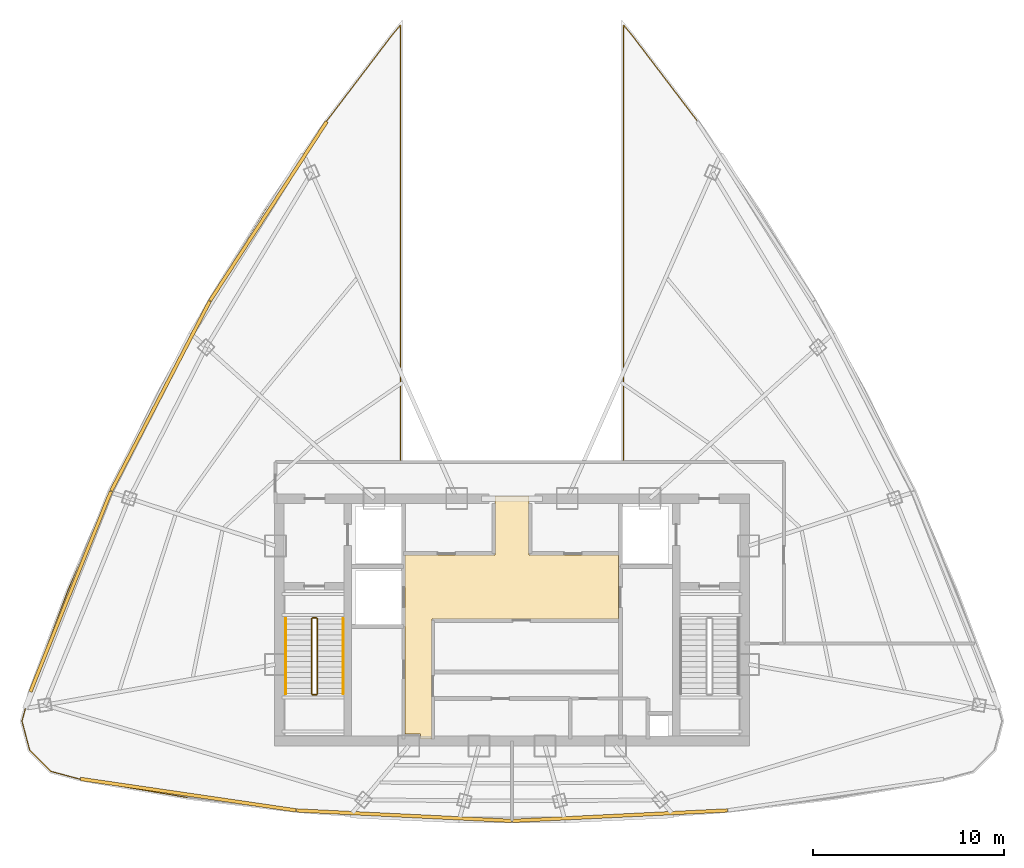
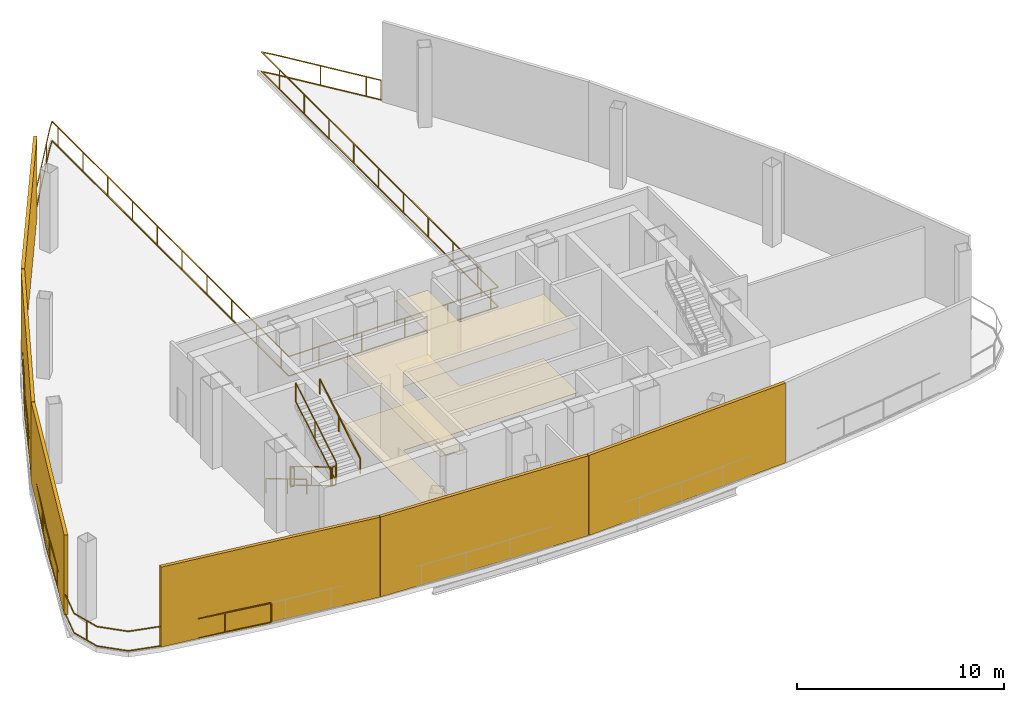
# One storey, part 4 of 6: 7 railings, 6 shading devices, 2 coverings.
"""IFC4 building model written with IfcOpenShell, lengths in metres."""

from ifc_helpers import new_model, si_unit, direction, frame, origin, origin_2d, place, context, subcontext, project, spatial, polyline, rectangle, outline, extrude, source, transform, mapped, material, layer, layer_set, type_object, element, save


model = new_model("IFC4")

# Units and contexts
model_context = context("Model", 3, precision=1e-05, world=origin(), true_north=direction((0.0, 1.0)))
body_context = subcontext(model_context, "Body", "Model", "MODEL_VIEW")
ifc_project = project(units=[si_unit("LENGTHUNIT", "METRE"), si_unit("AREAUNIT", "SQUARE_METRE"), si_unit("VOLUMEUNIT", "CUBIC_METRE"), si_unit("PLANEANGLEUNIT", "RADIAN"), si_unit("MASSUNIT", "GRAM", prefix="KILO"), si_unit("THERMODYNAMICTEMPERATUREUNIT", "KELVIN"), si_unit("POWERUNIT", "WATT")], contexts=[model_context])

# Site, building, storey
site_placement = place(None, origin())
site = spatial("IfcSite", under=ifc_project, at=site_placement, CompositionType="ELEMENT")
building_placement = place(site_placement, origin())
building = spatial("IfcBuilding", under=site, at=building_placement, Name="Yunzhuo Pagoda Commons", CompositionType="ELEMENT")
storey_placement = place(building_placement, frame((0.0, 0.0, 381.760009765625)))
storey = spatial("IfcBuildingStorey", under=building, at=storey_placement, Name="L95", CompositionType="ELEMENT", Elevation=381.760009765625)

# Coverings
ifc_material_1 = material(Name="Micro-perforated metal baffle ceiling")
ifc_layer_1 = layer(ifc_material_1, 0.034912109375)
ifc_layer_set_1 = layer_set([ifc_layer_1], Name="Micro-perforated metal baffle ceiling")
covering_type_1 = type_object("IfcCoveringType", Name="COV-CL3 Ceiling 35", PredefinedType="CEILING", material=ifc_layer_set_1)
covering_1_placement = place(storey_placement, frame((0.0, 0.0, 3.77001953125)))
element("IfcCovering", 1, at=covering_1_placement, inside=storey, type_object=covering_type_1, Name="L95 lift lobby acoustic ceiling", PredefinedType="CEILING", context=body_context, shape_type="SweptSolid", body=[
    extrude(outline(polyline([(43.207763671875, 27.85009765625), (43.201904296875, 27.864013671875), (43.187744140625, 27.8701171875), (42.39990234375, 27.8701171875), (42.39990234375, 33.89990234375), (42.39990234375, 37.25), (47.10009765625, 37.25), (47.10009765625, 40.35009765625), (48.89990234375, 40.35009765625), (48.89990234375, 37.25), (53.580078125, 37.25), (53.580078125, 33.89990234375), (43.820068359375, 33.89990234375), (43.820068359375, 27.60009765625), (43.207763671875, 27.60009765625), (43.207763671875, 27.85009765625)])), origin(), (0.0, 0.0, 1.0), 0.034912109375),
])
ifc_material_2 = material(Name="Resilient acoustic studio flooring")
ifc_layer_2 = layer(ifc_material_2, 0.01806640625)
ifc_layer_set_2 = layer_set([ifc_layer_2], Name="Resilient acoustic studio flooring")
covering_type_2 = type_object("IfcCoveringType", Name="COV-FL3 Flooring 18", PredefinedType="FLOORING", material=ifc_layer_set_2)
covering_2_placement = place(storey_placement, origin())
element("IfcCovering", 2, at=covering_2_placement, inside=storey, type_object=covering_type_2, Name="L95 lift lobby flooring", PredefinedType="FLOORING", context=body_context, shape_type="SweptSolid", body=[
    extrude(outline(polyline([(43.207763671875, 27.85009765625), (43.201904296875, 27.864013671875), (43.187744140625, 27.8701171875), (42.39990234375, 27.8701171875), (42.39990234375, 33.89990234375), (42.39990234375, 37.25), (47.10009765625, 37.25), (47.10009765625, 40.35009765625), (48.89990234375, 40.35009765625), (48.89990234375, 37.25), (53.580078125, 37.25), (53.580078125, 33.89990234375), (43.820068359375, 33.89990234375), (43.820068359375, 27.60009765625), (43.207763671875, 27.60009765625), (43.207763671875, 27.85009765625)])), origin(), (0.0, 0.0, 1.0), 0.01806640625),
])

# Railings
ifc_material_3 = material(Name="Anodized aluminium 6063-T6", Category="aluminium")
railing_type_1 = type_object("IfcRailingType", Name="GR-ST1 Stair Well Guardrail 1150", PredefinedType="GUARDRAIL", material=ifc_material_3)
railing_1_placement = place(storey_placement, frame((37.5, 33.89990234375, 0.166748046875)))
element("IfcRailing", 3, at=railing_1_placement, inside=storey, type_object=railing_type_1, Name="L95 ST1 stair guard 1", PredefinedType="GUARDRAIL", context=body_context, shape_type="SweptSolid", body=[
    extrude(rectangle(XDim=0.048095703125, YDim=0.048095703125, at=origin_2d()), frame((0.0, 0.0, 1.1259765625), z_axis=(0.0, -0.859296244711, 0.511478214419), x_axis=(1.0, 0.0, 0.0)), (0.0, 0.0, 1.0), 4.561767578125),
    extrude(rectangle(XDim=0.048095703125, YDim=0.048095703125, at=origin_2d()), frame((0.0, 0.0, 0.02392578125), z_axis=(0.0, -0.859296244711, 0.511478214419), x_axis=(1.0, 0.0, 0.0)), (0.0, 0.0, 1.0), 4.561767578125),
    extrude(rectangle(XDim=0.0419921875, YDim=0.0419921875, at=origin_2d()), origin(), (0.0, 0.0, 1.0), 1.101806640625),
    extrude(rectangle(XDim=0.0419921875, YDim=0.0419921875, at=origin_2d()), frame((0.0, -2.062255859375, 1.2275390625)), (0.0, 0.0, 1.0), 1.101806640625),
    extrude(rectangle(XDim=0.0419921875, YDim=0.0419921875, at=origin_2d()), frame((0.0, -3.919921875, 2.333251953125)), (0.0, 0.0, 1.0), 1.101806640625),
])
railing_2_placement = place(storey_placement, frame((37.550048828125, 29.929931640625, 2.5)))
element("IfcRailing", 4, at=railing_2_placement, inside=storey, type_object=railing_type_1, Name="L95 ST1 stair guard 2", PredefinedType="GUARDRAIL", context=body_context, shape_type="SweptSolid", body=[
    extrude(rectangle(XDim=0.048095703125, YDim=0.048095703125, at=origin_2d()), frame((0.0, 0.0, 1.1259765625), z_axis=(1.0, 0.0, 0.0), x_axis=(0.0, 1.0, 0.0)), (0.0, 0.0, 1.0), 0.199951171875),
    extrude(rectangle(XDim=0.048095703125, YDim=0.048095703125, at=origin_2d()), frame((0.0, 0.0, 0.02392578125), z_axis=(1.0, 0.0, 0.0), x_axis=(0.0, 1.0, 0.0)), (0.0, 0.0, 1.0), 0.199951171875),
    extrude(rectangle(XDim=0.0419921875, YDim=0.0419921875, at=origin_2d()), origin(), (0.0, 0.0, 1.0), 1.101806640625),
    extrude(rectangle(XDim=0.0419921875, YDim=0.0419921875, at=origin_2d()), frame((0.199951171875, 0.0, 0.0)), (0.0, 0.0, 1.0), 1.101806640625),
])
railing_3_placement = place(storey_placement, frame((37.800048828125, 29.97998046875, 2.666748046875)))
element("IfcRailing", 5, at=railing_3_placement, inside=storey, type_object=railing_type_1, Name="L95 ST1 stair guard 3", PredefinedType="GUARDRAIL", context=body_context, shape_type="SweptSolid", body=[
    extrude(rectangle(XDim=0.048095703125, YDim=0.048095703125, at=origin_2d()), frame((0.0, 0.0, 1.1259765625), z_axis=(0.0, 0.859296244711, 0.511478214419), x_axis=(-1.0, 0.0, 0.0)), (0.0, 0.0, 1.0), 4.561767578125),
    extrude(rectangle(XDim=0.048095703125, YDim=0.048095703125, at=origin_2d()), frame((0.0, 0.0, 0.02392578125), z_axis=(0.0, 0.859296244711, 0.511478214419), x_axis=(-1.0, 0.0, 0.0)), (0.0, 0.0, 1.0), 4.561767578125),
    extrude(rectangle(XDim=0.0419921875, YDim=0.0419921875, at=origin_2d()), origin(), (0.0, 0.0, 1.0), 1.101806640625),
    extrude(rectangle(XDim=0.0419921875, YDim=0.0419921875, at=origin_2d()), frame((0.0, 2.062255859375, 1.2275390625)), (0.0, 0.0, 1.0), 1.101806640625),
    extrude(rectangle(XDim=0.0419921875, YDim=0.0419921875, at=origin_2d()), frame((0.0, 3.919921875, 2.333251953125)), (0.0, 0.0, 1.0), 1.101806640625),
])
railing_4_placement = place(storey_placement, frame((37.550048828125, 33.949951171875, 0.0)))
element("IfcRailing", 6, at=railing_4_placement, inside=storey, type_object=railing_type_1, Name="L95 ST1 stair guard 4", PredefinedType="GUARDRAIL", context=body_context, shape_type="SweptSolid", body=[
    extrude(rectangle(XDim=0.048095703125, YDim=0.048095703125, at=origin_2d()), frame((0.0, 0.0, 1.1259765625), z_axis=(1.0, 0.0, 0.0), x_axis=(0.0, 1.0, 0.0)), (0.0, 0.0, 1.0), 0.199951171875),
    extrude(rectangle(XDim=0.048095703125, YDim=0.048095703125, at=origin_2d()), frame((0.0, 0.0, 0.02392578125), z_axis=(1.0, 0.0, 0.0), x_axis=(0.0, 1.0, 0.0)), (0.0, 0.0, 1.0), 0.199951171875),
    extrude(rectangle(XDim=0.0419921875, YDim=0.0419921875, at=origin_2d()), origin(), (0.0, 0.0, 1.0), 1.101806640625),
    extrude(rectangle(XDim=0.0419921875, YDim=0.0419921875, at=origin_2d()), frame((0.199951171875, 0.0, 0.0)), (0.0, 0.0, 1.0), 1.101806640625),
])
railing_type_2 = type_object("IfcRailingType", Name="HR-ST1 Stair Handrail 900", PredefinedType="HANDRAIL", material=ifc_material_3)
railing_5_placement = place(storey_placement, frame((36.14990234375, 33.89990234375, 0.166748046875)))
element("IfcRailing", 7, at=railing_5_placement, inside=storey, type_object=railing_type_2, Name="L95 ST1 stair handrail 1", PredefinedType="HANDRAIL", context=body_context, shape_type="SweptSolid", body=[
    extrude(rectangle(XDim=0.048095703125, YDim=0.048095703125, at=origin_2d()), frame((0.0, 0.0, 0.8759765625), z_axis=(0.0, -0.859296244711, 0.511478214419), x_axis=(1.0, 0.0, 0.0)), (0.0, 0.0, 1.0), 4.561767578125),
    extrude(rectangle(XDim=0.0419921875, YDim=0.0419921875, at=origin_2d()), origin(), (0.0, 0.0, 1.0), 0.851806640625),
    extrude(rectangle(XDim=0.0419921875, YDim=0.0419921875, at=origin_2d()), frame((0.0, -2.062255859375, 1.2275390625)), (0.0, 0.0, 1.0), 0.851806640625),
    extrude(rectangle(XDim=0.0419921875, YDim=0.0419921875, at=origin_2d()), frame((0.0, -3.919921875, 2.333251953125)), (0.0, 0.0, 1.0), 0.851806640625),
])
railing_6_placement = place(storey_placement, frame((39.14990234375, 29.97998046875, 2.666748046875)))
element("IfcRailing", 8, at=railing_6_placement, inside=storey, type_object=railing_type_2, Name="L95 ST1 stair handrail 2", PredefinedType="HANDRAIL", context=body_context, shape_type="SweptSolid", body=[
    extrude(rectangle(XDim=0.048095703125, YDim=0.048095703125, at=origin_2d()), frame((0.0, 0.0, 0.8759765625), z_axis=(0.0, 0.859296244711, 0.511478214419), x_axis=(-1.0, 0.0, 0.0)), (0.0, 0.0, 1.0), 4.561767578125),
    extrude(rectangle(XDim=0.0419921875, YDim=0.0419921875, at=origin_2d()), origin(), (0.0, 0.0, 1.0), 0.851806640625),
    extrude(rectangle(XDim=0.0419921875, YDim=0.0419921875, at=origin_2d()), frame((0.0, 2.062255859375, 1.2275390625)), (0.0, 0.0, 1.0), 0.851806640625),
    extrude(rectangle(XDim=0.0419921875, YDim=0.0419921875, at=origin_2d()), frame((0.0, 3.919921875, 2.333251953125)), (0.0, 0.0, 1.0), 0.851806640625),
])
railing_type_3 = type_object("IfcRailingType", Name="RL-PRT1 Wind Portal & Refuge Guardrail 1200", PredefinedType="GUARDRAIL", material=ifc_material_3)
railing_7_placement = place(storey_placement, frame((31.02978515625, 24.53271484375, 0.0)))
element("IfcRailing", 9, at=railing_7_placement, inside=storey, type_object=railing_type_3, Name="L95 wind portal wing 1 guardrail B", PredefinedType="GUARDRAIL", context=body_context, shape_type="SweptSolid", body=[
    extrude(rectangle(XDim=0.048095703125, YDim=0.048095703125, at=origin_2d()), frame((0.0, 0.0, 1.17578125), z_axis=(-0.985802138358, 0.167911119374, 0.0), x_axis=(-0.167911119374, -0.985802138358, 0.0)), (0.0, 0.0, 1.0), 5.736083984375),
    extrude(rectangle(XDim=0.048095703125, YDim=0.048095703125, at=origin_2d()), frame((0.0, 0.0, 0.02392578125), z_axis=(-0.985802138358, 0.167911119374, 0.0), x_axis=(-0.167911119374, -0.985802138358, 0.0)), (0.0, 0.0, 1.0), 5.736083984375),
    extrude(rectangle(XDim=0.048095703125, YDim=0.048095703125, at=origin_2d()), frame((-5.654541015625, 0.963134765625, 1.17578125), z_axis=(-0.965767970821, 0.259407452737, 0.0), x_axis=(-0.259407452737, -0.965767970821, 0.0)), (0.0, 0.0, 1.0), 1.59326171875),
    extrude(rectangle(XDim=0.048095703125, YDim=0.048095703125, at=origin_2d()), frame((-5.654541015625, 0.963134765625, 0.02392578125), z_axis=(-0.965767970821, 0.259407452737, 0.0), x_axis=(-0.259407452737, -0.965767970821, 0.0)), (0.0, 0.0, 1.0), 1.59326171875),
    extrude(rectangle(XDim=0.048095703125, YDim=0.048095703125, at=origin_2d()), frame((-7.193359375, 1.37646484375, 1.17578125), z_axis=(-0.705784726327, 0.708426368851, 0.0), x_axis=(-0.708426368851, -0.705784726327, 0.0)), (0.0, 0.0, 1.0), 1.571044921875),
    extrude(rectangle(XDim=0.048095703125, YDim=0.048095703125, at=origin_2d()), frame((-7.193359375, 1.37646484375, 0.02392578125), z_axis=(-0.705784726327, 0.708426368851, 0.0), x_axis=(-0.708426368851, -0.705784726327, 0.0)), (0.0, 0.0, 1.0), 1.571044921875),
    extrude(rectangle(XDim=0.048095703125, YDim=0.048095703125, at=origin_2d()), frame((-8.30224609375, 2.489501953125, 1.17578125), z_axis=(-0.256114674662, 0.966646405581, 0.0), x_axis=(-0.966646405581, -0.256114674662, 0.0)), (0.0, 0.0, 1.0), 1.571044921875),
    extrude(rectangle(XDim=0.048095703125, YDim=0.048095703125, at=origin_2d()), frame((-8.30224609375, 2.489501953125, 0.02392578125), z_axis=(-0.256114674662, 0.966646405581, 0.0), x_axis=(-0.966646405581, -0.256114674662, 0.0)), (0.0, 0.0, 1.0), 1.571044921875),
    extrude(rectangle(XDim=0.048095703125, YDim=0.048095703125, at=origin_2d()), frame((-8.70458984375, 4.008056640625, 1.17578125), z_axis=(0.262922930823, 0.964816838808, 0.0), x_axis=(-0.964816838808, 0.262922930823, 0.0)), (0.0, 0.0, 1.0), 1.593505859375),
    extrude(rectangle(XDim=0.048095703125, YDim=0.048095703125, at=origin_2d()), frame((-8.70458984375, 4.008056640625, 0.02392578125), z_axis=(0.262922930823, 0.964816838808, 0.0), x_axis=(-0.964816838808, 0.262922930823, 0.0)), (0.0, 0.0, 1.0), 1.593505859375),
    extrude(rectangle(XDim=0.048095703125, YDim=0.048095703125, at=origin_2d()), frame((-8.28564453125, 5.54541015625, 1.17578125), z_axis=(0.350704936473, 0.936486010325, 0.0), x_axis=(-0.936486010325, 0.350704936473, 0.0)), (0.0, 0.0, 1.0), 5.690185546875),
    extrude(rectangle(XDim=0.048095703125, YDim=0.048095703125, at=origin_2d()), frame((-8.28564453125, 5.54541015625, 0.02392578125), z_axis=(0.350704936473, 0.936486010325, 0.0), x_axis=(-0.936486010325, 0.350704936473, 0.0)), (0.0, 0.0, 1.0), 5.690185546875),
    extrude(rectangle(XDim=0.048095703125, YDim=0.048095703125, at=origin_2d()), frame((-6.2900390625, 10.874267578125, 1.17578125), z_axis=(0.395237697454, 0.91857888203, 0.0), x_axis=(-0.91857888203, 0.395237697454, 0.0)), (0.0, 0.0, 1.0), 5.652587890625),
    extrude(rectangle(XDim=0.048095703125, YDim=0.048095703125, at=origin_2d()), frame((-6.2900390625, 10.874267578125, 0.02392578125), z_axis=(0.395237697454, 0.91857888203, 0.0), x_axis=(-0.91857888203, 0.395237697454, 0.0)), (0.0, 0.0, 1.0), 5.652587890625),
    extrude(rectangle(XDim=0.048095703125, YDim=0.048095703125, at=origin_2d()), frame((-4.055908203125, 16.066650390625, 1.17578125), z_axis=(0.439384485978, 0.898299100234, 0.0), x_axis=(-0.898299100234, 0.439384485978, 0.0)), (0.0, 0.0, 1.0), 5.625244140625),
    extrude(rectangle(XDim=0.048095703125, YDim=0.048095703125, at=origin_2d()), frame((-4.055908203125, 16.066650390625, 0.02392578125), z_axis=(0.439384485978, 0.898299100234, 0.0), x_axis=(-0.898299100234, 0.439384485978, 0.0)), (0.0, 0.0, 1.0), 5.625244140625),
    extrude(rectangle(XDim=0.048095703125, YDim=0.048095703125, at=origin_2d()), frame((-1.584228515625, 21.119873046875, 1.17578125), z_axis=(0.482785214166, 0.875738794951, 0.0), x_axis=(-0.875738794951, 0.482785214166, 0.0)), (0.0, 0.0, 1.0), 5.612060546875),
    extrude(rectangle(XDim=0.048095703125, YDim=0.048095703125, at=origin_2d()), frame((-1.584228515625, 21.119873046875, 0.02392578125), z_axis=(0.482785214166, 0.875738794951, 0.0), x_axis=(-0.875738794951, 0.482785214166, 0.0)), (0.0, 0.0, 1.0), 5.612060546875),
    extrude(rectangle(XDim=0.048095703125, YDim=0.048095703125, at=origin_2d()), frame((1.125244140625, 26.03466796875, 1.17578125), z_axis=(0.52515291418, 0.851007882883, 0.0), x_axis=(-0.851007882883, 0.52515291418, 0.0)), (0.0, 0.0, 1.0), 5.61181640625),
    extrude(rectangle(XDim=0.048095703125, YDim=0.048095703125, at=origin_2d()), frame((1.125244140625, 26.03466796875, 0.02392578125), z_axis=(0.52515291418, 0.851007882883, 0.0), x_axis=(-0.851007882883, 0.52515291418, 0.0)), (0.0, 0.0, 1.0), 5.61181640625),
    extrude(rectangle(XDim=0.048095703125, YDim=0.048095703125, at=origin_2d()), frame((4.072265625, 30.810302734375, 1.17578125), z_axis=(0.566184343599, 0.824278647706, 0.0), x_axis=(-0.824278647706, 0.566184343599, 0.0)), (0.0, 0.0, 1.0), 5.62548828125),
    extrude(rectangle(XDim=0.048095703125, YDim=0.048095703125, at=origin_2d()), frame((4.072265625, 30.810302734375, 0.02392578125), z_axis=(0.566184343599, 0.824278647706, 0.0), x_axis=(-0.824278647706, 0.566184343599, 0.0)), (0.0, 0.0, 1.0), 5.62548828125),
    extrude(rectangle(XDim=0.048095703125, YDim=0.048095703125, at=origin_2d()), frame((7.25732421875, 35.447265625, 1.17578125), z_axis=(0.605500424009, 0.795844982723, 0.0), x_axis=(-0.795844982723, 0.605500424009, 0.0)), (0.0, 0.0, 1.0), 5.652587890625),
    extrude(rectangle(XDim=0.048095703125, YDim=0.048095703125, at=origin_2d()), frame((7.25732421875, 35.447265625, 0.02392578125), z_axis=(0.605500424009, 0.795844982723, 0.0), x_axis=(-0.795844982723, 0.605500424009, 0.0)), (0.0, 0.0, 1.0), 5.652587890625),
    extrude(rectangle(XDim=0.048095703125, YDim=0.048095703125, at=origin_2d()), frame((10.679931640625, 39.94580078125, 1.17578125), z_axis=(0.643091702275, 0.765789176253, 0.0), x_axis=(-0.765789176253, 0.643091702275, 0.0)), (0.0, 0.0, 1.0), 0.6845703125),
    extrude(rectangle(XDim=0.048095703125, YDim=0.048095703125, at=origin_2d()), frame((10.679931640625, 39.94580078125, 0.02392578125), z_axis=(0.643091702275, 0.765789176253, 0.0), x_axis=(-0.765789176253, 0.643091702275, 0.0)), (0.0, 0.0, 1.0), 0.6845703125),
    extrude(rectangle(XDim=0.048095703125, YDim=0.048095703125, at=origin_2d()), frame((11.1201171875, 40.469970703125, 1.17578125), z_axis=(0.0, -1.0, 0.0), x_axis=(1.0, 0.0, 0.0)), (0.0, 0.0, 1.0), 22.902587890625),
    extrude(rectangle(XDim=0.048095703125, YDim=0.048095703125, at=origin_2d()), frame((11.1201171875, 40.469970703125, 0.02392578125), z_axis=(0.0, -1.0, 0.0), x_axis=(1.0, 0.0, 0.0)), (0.0, 0.0, 1.0), 22.902587890625),
    extrude(rectangle(XDim=0.048095703125, YDim=0.048095703125, at=origin_2d()), frame((11.1201171875, 17.5673828125, 1.17578125), z_axis=(1.0, 0.0, 0.0), x_axis=(0.0, 1.0, 0.0)), (0.0, 0.0, 1.0), 11.7001953125),
    extrude(rectangle(XDim=0.048095703125, YDim=0.048095703125, at=origin_2d()), frame((11.1201171875, 17.5673828125, 0.02392578125), z_axis=(1.0, 0.0, 0.0), x_axis=(0.0, 1.0, 0.0)), (0.0, 0.0, 1.0), 11.7001953125),
    extrude(rectangle(XDim=0.048095703125, YDim=0.048095703125, at=origin_2d()), frame((22.8203125, 17.5673828125, 1.17578125), z_axis=(0.0, 1.0, 0.0), x_axis=(-1.0, 0.0, 0.0)), (0.0, 0.0, 1.0), 22.902587890625),
    extrude(rectangle(XDim=0.048095703125, YDim=0.048095703125, at=origin_2d()), frame((22.8203125, 17.5673828125, 0.02392578125), z_axis=(0.0, 1.0, 0.0), x_axis=(-1.0, 0.0, 0.0)), (0.0, 0.0, 1.0), 22.902587890625),
    extrude(rectangle(XDim=0.048095703125, YDim=0.048095703125, at=origin_2d()), frame((22.8203125, 40.469970703125, 1.17578125), z_axis=(0.643091702275, -0.765789176253, 0.0), x_axis=(0.765789176253, 0.643091702275, 0.0)), (0.0, 0.0, 1.0), 0.6845703125),
    extrude(rectangle(XDim=0.048095703125, YDim=0.048095703125, at=origin_2d()), frame((22.8203125, 40.469970703125, 0.02392578125), z_axis=(0.643091702275, -0.765789176253, 0.0), x_axis=(0.765789176253, 0.643091702275, 0.0)), (0.0, 0.0, 1.0), 0.6845703125),
    extrude(rectangle(XDim=0.048095703125, YDim=0.048095703125, at=origin_2d()), frame((23.260498046875, 39.94580078125, 1.17578125), z_axis=(0.605516403588, -0.795832824773, 0.0), x_axis=(0.795832824773, 0.605516403588, 0.0)), (0.0, 0.0, 1.0), 5.572509765625),
    extrude(rectangle(XDim=0.048095703125, YDim=0.048095703125, at=origin_2d()), frame((23.260498046875, 39.94580078125, 0.02392578125), z_axis=(0.605516403588, -0.795832824773, 0.0), x_axis=(0.795832824773, 0.605516403588, 0.0)), (0.0, 0.0, 1.0), 5.572509765625),
    extrude(rectangle(XDim=0.0419921875, YDim=0.0419921875, at=origin_2d()), origin(), (0.0, 0.0, 1.0), 1.15185546875),
    extrude(rectangle(XDim=0.0419921875, YDim=0.0419921875, at=origin_2d()), frame((-2.365966796875, 0.403076171875, 0.0)), (0.0, 0.0, 1.0), 1.15185546875),
    extrude(rectangle(XDim=0.0419921875, YDim=0.0419921875, at=origin_2d()), frame((-4.73193359375, 0.805908203125, 0.0)), (0.0, 0.0, 1.0), 1.15185546875),
    extrude(rectangle(XDim=0.0419921875, YDim=0.0419921875, at=origin_2d()), frame((-8.4814453125, 3.165771484375, 0.0)), (0.0, 0.0, 1.0), 1.15185546875),
    extrude(rectangle(XDim=0.0419921875, YDim=0.0419921875, at=origin_2d()), frame((-7.466796875, 7.732177734375, 0.0)), (0.0, 0.0, 1.0), 1.15185546875),
    extrude(rectangle(XDim=0.0419921875, YDim=0.0419921875, at=origin_2d()), frame((-6.625, 9.979736328125, 0.0)), (0.0, 0.0, 1.0), 1.15185546875),
    extrude(rectangle(XDim=0.0419921875, YDim=0.0419921875, at=origin_2d()), frame((-5.718994140625, 12.201416015625, 0.0)), (0.0, 0.0, 1.0), 1.15185546875),
    extrude(rectangle(XDim=0.0419921875, YDim=0.0419921875, at=origin_2d()), frame((-4.7705078125, 14.406005859375, 0.0)), (0.0, 0.0, 1.0), 1.15185546875),
    extrude(rectangle(XDim=0.0419921875, YDim=0.0419921875, at=origin_2d()), frame((-3.795654296875, 16.5986328125, 0.0)), (0.0, 0.0, 1.0), 1.15185546875),
    extrude(rectangle(XDim=0.0419921875, YDim=0.0419921875, at=origin_2d()), frame((-2.7412109375, 18.754638671875, 0.0)), (0.0, 0.0, 1.0), 1.15185546875),
    extrude(rectangle(XDim=0.0419921875, YDim=0.0419921875, at=origin_2d()), frame((-1.6865234375, 20.910400390625, 0.0)), (0.0, 0.0, 1.0), 1.15185546875),
    extrude(rectangle(XDim=0.0419921875, YDim=0.0419921875, at=origin_2d()), frame((-0.5380859375, 23.017578125, 0.0)), (0.0, 0.0, 1.0), 1.15185546875),
    extrude(rectangle(XDim=0.0419921875, YDim=0.0419921875, at=origin_2d()), frame((0.62060546875, 25.119384765625, 0.0)), (0.0, 0.0, 1.0), 1.15185546875),
    extrude(rectangle(XDim=0.0419921875, YDim=0.0419921875, at=origin_2d()), frame((1.836669921875, 27.1875, 0.0)), (0.0, 0.0, 1.0), 1.15185546875),
    extrude(rectangle(XDim=0.0419921875, YDim=0.0419921875, at=origin_2d()), frame((3.09716796875, 29.22998046875, 0.0)), (0.0, 0.0, 1.0), 1.15185546875),
    extrude(rectangle(XDim=0.0419921875, YDim=0.0419921875, at=origin_2d()), frame((4.379638671875, 31.2578125, 0.0)), (0.0, 0.0, 1.0), 1.15185546875),
    extrude(rectangle(XDim=0.0419921875, YDim=0.0419921875, at=origin_2d()), frame((5.738525390625, 33.236083984375, 0.0)), (0.0, 0.0, 1.0), 1.15185546875),
    extrude(rectangle(XDim=0.0419921875, YDim=0.0419921875, at=origin_2d()), frame((7.097412109375, 35.21435546875, 0.0)), (0.0, 0.0, 1.0), 1.15185546875),
    extrude(rectangle(XDim=0.0419921875, YDim=0.0419921875, at=origin_2d()), frame((8.53955078125, 37.132568359375, 0.0)), (0.0, 0.0, 1.0), 1.15185546875),
    extrude(rectangle(XDim=0.0419921875, YDim=0.0419921875, at=origin_2d()), frame((9.99267578125, 39.04248046875, 0.0)), (0.0, 0.0, 1.0), 1.15185546875),
    extrude(rectangle(XDim=0.0419921875, YDim=0.0419921875, at=origin_2d()), frame((11.1201171875, 39.889404296875, 0.0)), (0.0, 0.0, 1.0), 1.15185546875),
    extrude(rectangle(XDim=0.0419921875, YDim=0.0419921875, at=origin_2d()), frame((11.1201171875, 37.489501953125, 0.0)), (0.0, 0.0, 1.0), 1.15185546875),
    extrude(rectangle(XDim=0.0419921875, YDim=0.0419921875, at=origin_2d()), frame((11.1201171875, 35.08935546875, 0.0)), (0.0, 0.0, 1.0), 1.15185546875),
    extrude(rectangle(XDim=0.0419921875, YDim=0.0419921875, at=origin_2d()), frame((11.1201171875, 32.689453125, 0.0)), (0.0, 0.0, 1.0), 1.15185546875),
    extrude(rectangle(XDim=0.0419921875, YDim=0.0419921875, at=origin_2d()), frame((11.1201171875, 30.28955078125, 0.0)), (0.0, 0.0, 1.0), 1.15185546875),
    extrude(rectangle(XDim=0.0419921875, YDim=0.0419921875, at=origin_2d()), frame((11.1201171875, 27.889404296875, 0.0)), (0.0, 0.0, 1.0), 1.15185546875),
    extrude(rectangle(XDim=0.0419921875, YDim=0.0419921875, at=origin_2d()), frame((11.1201171875, 25.489501953125, 0.0)), (0.0, 0.0, 1.0), 1.15185546875),
    extrude(rectangle(XDim=0.0419921875, YDim=0.0419921875, at=origin_2d()), frame((11.1201171875, 23.08935546875, 0.0)), (0.0, 0.0, 1.0), 1.15185546875),
    extrude(rectangle(XDim=0.0419921875, YDim=0.0419921875, at=origin_2d()), frame((11.1201171875, 20.689453125, 0.0)), (0.0, 0.0, 1.0), 1.15185546875),
    extrude(rectangle(XDim=0.0419921875, YDim=0.0419921875, at=origin_2d()), frame((11.1201171875, 18.28955078125, 0.0)), (0.0, 0.0, 1.0), 1.15185546875),
    extrude(rectangle(XDim=0.0419921875, YDim=0.0419921875, at=origin_2d()), frame((12.798095703125, 17.5673828125, 0.0)), (0.0, 0.0, 1.0), 1.15185546875),
    extrude(rectangle(XDim=0.0419921875, YDim=0.0419921875, at=origin_2d()), frame((15.197998046875, 17.5673828125, 0.0)), (0.0, 0.0, 1.0), 1.15185546875),
    extrude(rectangle(XDim=0.0419921875, YDim=0.0419921875, at=origin_2d()), frame((17.59814453125, 17.5673828125, 0.0)), (0.0, 0.0, 1.0), 1.15185546875),
    extrude(rectangle(XDim=0.0419921875, YDim=0.0419921875, at=origin_2d()), frame((19.998046875, 17.5673828125, 0.0)), (0.0, 0.0, 1.0), 1.15185546875),
    extrude(rectangle(XDim=0.0419921875, YDim=0.0419921875, at=origin_2d()), frame((22.39794921875, 17.5673828125, 0.0)), (0.0, 0.0, 1.0), 1.15185546875),
    extrude(rectangle(XDim=0.0419921875, YDim=0.0419921875, at=origin_2d()), frame((22.8203125, 19.545166015625, 0.0)), (0.0, 0.0, 1.0), 1.15185546875),
    extrude(rectangle(XDim=0.0419921875, YDim=0.0419921875, at=origin_2d()), frame((22.8203125, 21.945068359375, 0.0)), (0.0, 0.0, 1.0), 1.15185546875),
    extrude(rectangle(XDim=0.0419921875, YDim=0.0419921875, at=origin_2d()), frame((22.8203125, 24.34521484375, 0.0)), (0.0, 0.0, 1.0), 1.15185546875),
    extrude(rectangle(XDim=0.0419921875, YDim=0.0419921875, at=origin_2d()), frame((22.8203125, 26.7451171875, 0.0)), (0.0, 0.0, 1.0), 1.15185546875),
    extrude(rectangle(XDim=0.0419921875, YDim=0.0419921875, at=origin_2d()), frame((22.8203125, 29.14501953125, 0.0)), (0.0, 0.0, 1.0), 1.15185546875),
    extrude(rectangle(XDim=0.0419921875, YDim=0.0419921875, at=origin_2d()), frame((22.8203125, 31.545166015625, 0.0)), (0.0, 0.0, 1.0), 1.15185546875),
    extrude(rectangle(XDim=0.0419921875, YDim=0.0419921875, at=origin_2d()), frame((22.8203125, 33.945068359375, 0.0)), (0.0, 0.0, 1.0), 1.15185546875),
    extrude(rectangle(XDim=0.0419921875, YDim=0.0419921875, at=origin_2d()), frame((22.8203125, 36.34521484375, 0.0)), (0.0, 0.0, 1.0), 1.15185546875),
    extrude(rectangle(XDim=0.0419921875, YDim=0.0419921875, at=origin_2d()), frame((22.8203125, 38.7451171875, 0.0)), (0.0, 0.0, 1.0), 1.15185546875),
    extrude(rectangle(XDim=0.0419921875, YDim=0.0419921875, at=origin_2d()), frame((24.7080078125, 38.043212890625, 0.0)), (0.0, 0.0, 1.0), 1.15185546875),
    extrude(rectangle(XDim=0.0419921875, YDim=0.0419921875, at=origin_2d()), frame((26.161376953125, 36.13330078125, 0.0)), (0.0, 0.0, 1.0), 1.15185546875),
    extrude(rectangle(XDim=0.0419921875, YDim=0.0419921875, at=origin_2d()), frame((26.634765625, 35.510986328125, 0.0)), (0.0, 0.0, 1.0), 1.15185546875),
])

# Shading devices
ifc_layer_3 = layer(ifc_material_3, 0.179931640625)
ifc_layer_set_3 = layer_set([ifc_layer_3], Name="Anodized aluminium 6063-T6")
shading_device_type = type_object("IfcShadingDeviceType", Name="SH-SCR2 Crown Drum Acoustic Louvre Screen", PredefinedType="JALOUSIE", material=ifc_layer_set_3)
shared_shape_1 = source(origin(), body_context, "Body", "SweptSolid", [
    extrude(rectangle(XDim=11.403076171875, YDim=0.179931640625, at=origin_2d()), origin(), (0.0, 0.0, 1.0), 4.719970703125),
])
shading_device_1_placement = place(storey_placement, frame((31.03271484375, 24.690185546875, 0.0), z_axis=(0.0, 0.0, 1.0), x_axis=(0.989510666697, -0.144459823108, 0.0)))
element("IfcShadingDevice", 10, at=shading_device_1_placement, inside=storey, type_object=shading_device_type, Name="L95 wind portal wing louvre screen F1.1", PredefinedType="JALOUSIE", context=body_context, shape_type="MappedRepresentation", body=[
    mapped(shared_shape_1, transform((0.0, 0.0, 0.0), scale=1.0)),
])
shared_shape_2 = source(origin(), body_context, "Body", "SweptSolid", [
    extrude(rectangle(XDim=11.29638671875, YDim=0.179931640625, at=origin_2d()), origin(), (0.0, 0.0, 1.0), 4.719970703125),
])
for number, where, z_axis, x_axis, name in (
    (11, (42.34423828125, 23.58935546875, 0.0), (0.0, 0.0, 1.0), (0.998818043775, -0.04860571396, 0.0), "L95 wind portal wing louvre screen F1.2"),
    (12, (53.65576171875, 23.58935546875, 0.0), (0.0, 0.0, 1.0), (0.998818043775, 0.04860571396, 0.0), "L95 wind portal wing louvre screen F1.3"),
):
    element("IfcShadingDevice", number, at=place(storey_placement, frame(where, z_axis=z_axis, x_axis=x_axis)), inside=storey, type_object=shading_device_type, Name=name, PredefinedType="JALOUSIE", context=body_context, shape_type="MappedRepresentation", body=[
        mapped(shared_shape_2, transform((0.0, 0.0, 0.0), scale=1.0)),
    ])
shared_shape_3 = source(origin(), body_context, "Body", "SweptSolid", [
    extrude(rectangle(XDim=11.311279296875, YDim=0.179931640625, at=origin_2d()), origin(), (0.0, 0.0, 1.0), 4.719970703125),
])
shading_device_2_placement = place(storey_placement, frame((24.877197265625, 35.330078125, 0.0), z_axis=(0.0, 0.0, 1.0), x_axis=(-0.372987782576, -0.927836253899, 0.0)))
element("IfcShadingDevice", 13, at=shading_device_2_placement, inside=storey, type_object=shading_device_type, Name="L95 wind portal wing louvre screen F3.4", PredefinedType="JALOUSIE", context=body_context, shape_type="MappedRepresentation", body=[
    mapped(shared_shape_3, transform((0.0, 0.0, 0.0), scale=1.0)),
])
shared_shape_4 = source(origin(), body_context, "Body", "SweptSolid", [
    extrude(rectangle(XDim=11.203857421875, YDim=0.179931640625, at=origin_2d()), origin(), (0.0, 0.0, 1.0), 4.719970703125),
])
for number, where, z_axis, x_axis, name in (
    (14, (35.23779296875, 55.2626953125, 0.0), (0.0, 0.0, 1.0), (-0.545853380833, -0.837880711458, 0.0), "L95 wind portal wing louvre screen F3.2"),
    (15, (29.582275390625, 45.57421875, 0.0), (0.0, 0.0, 1.0), (-0.461206683033, -0.88729273384, 0.0), "L95 wind portal wing louvre screen F3.3"),
):
    element("IfcShadingDevice", number, at=place(storey_placement, frame(where, z_axis=z_axis, x_axis=x_axis)), inside=storey, type_object=shading_device_type, Name=name, PredefinedType="JALOUSIE", context=body_context, shape_type="MappedRepresentation", body=[
        mapped(shared_shape_4, transform((0.0, 0.0, 0.0), scale=1.0)),
    ])

save(model, "model.ifc")
